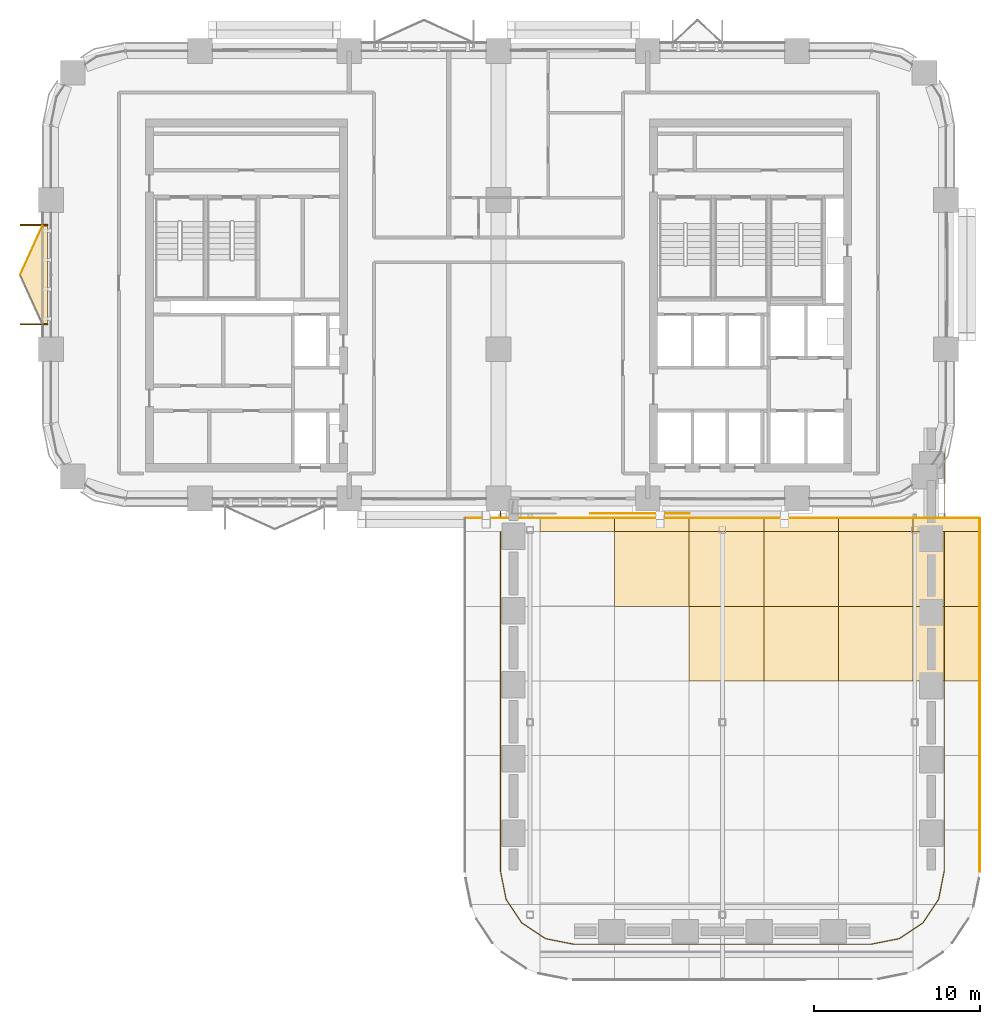
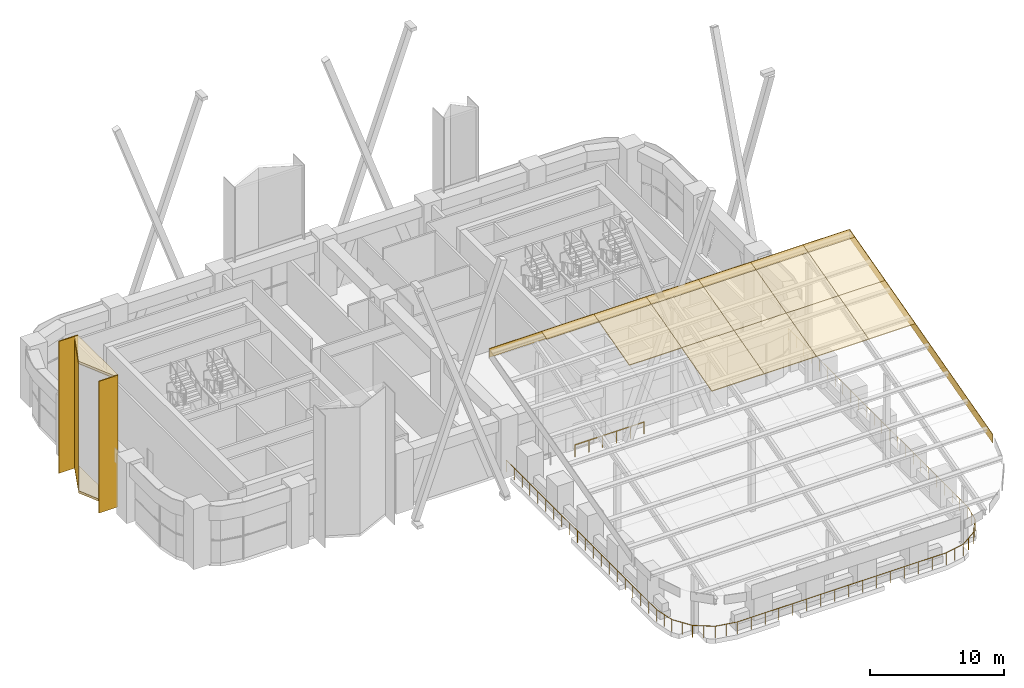
# One storey, part 19 of 22: 22 coverings, 2 railings.
"""IFC4 building model written with IfcOpenShell, lengths in metres."""

from ifc_helpers import new_model, si_unit, direction, frame, origin, origin_2d, place, context, subcontext, project, spatial, polyline, rectangle, circle, outline, extrude, material, layer, layer_set, type_object, element, save


model = new_model("IFC4")

# Units and contexts
model_context = context("Model", 3, precision=1e-05, world=origin(), true_north=direction((0.0, 1.0)))
body_context = subcontext(model_context, "Body", "Model", "MODEL_VIEW")
ifc_project = project(units=[si_unit("LENGTHUNIT", "METRE"), si_unit("AREAUNIT", "SQUARE_METRE"), si_unit("VOLUMEUNIT", "CUBIC_METRE"), si_unit("PLANEANGLEUNIT", "RADIAN"), si_unit("MASSUNIT", "GRAM", prefix="KILO")], contexts=[model_context])

# Site, building, storey
site_placement = place(None, origin())
site = spatial("IfcSite", under=ifc_project, at=site_placement, CompositionType="ELEMENT")
building_placement = place(site_placement, origin())
building = spatial("IfcBuilding", under=site, at=building_placement, Name="Tessera Arch", CompositionType="ELEMENT")
storey_placement = place(building_placement, frame((0.0, 0.0, 129.39990234375)))
storey = spatial("IfcBuildingStorey", under=building, at=storey_placement, Name="L30", CompositionType="ELEMENT", Elevation=129.39990234375)

# Coverings
ifc_material_1 = material(Name="Aluminium cladding pale metal anodised", Category="aluminium")
ifc_layer_1 = layer(ifc_material_1, 0.0400390625)
ifc_layer_set_1 = layer_set([ifc_layer_1], Name="Canopy fascia pale metal")
covering_type_1 = type_object("IfcCoveringType", Name="Canopy fascia pale metal", PredefinedType="CLADDING", material=ifc_layer_set_1)
covering_1_placement = place(storey_placement, frame((56.0, 4.5009765625, 6.94189453125), z_axis=(-1.0, 0.0, 0.0), x_axis=(0.0, 0.965923488686, 0.258827768997)))
element("IfcCovering", 1, at=covering_1_placement, inside=storey, type_object=covering_type_1, Name="CANOPY T3 fascia 1", PredefinedType="CLADDING", context=body_context, shape_type="SweptSolid", body=[
    extrude(outline(polyline([(0.0, 0.0), (22.05047554500242, 0.0), (21.843400691730558, 0.7727859551820426), (-0.20701166289857298, 0.7725501340178127), (0.0, 0.0)])), origin(), (0.0, 0.0, -1.0), 0.0400390625),
])
covering_2_placement = place(storey_placement, frame((56.0, 25.800048828125, 12.649169921875), z_axis=(0.0, -1.0, 0.0), x_axis=(-1.0, 0.0, 0.0)))
element("IfcCovering", 2, at=covering_2_placement, inside=storey, type_object=covering_type_1, Name="CANOPY T3 fascia 2", PredefinedType="CLADDING", context=body_context, shape_type="SweptSolid", body=[
    extrude(outline(polyline([(0.0, 0.0), (31.0, 0.0), (31.0, 0.800048828125), (0.0, 0.800048828125), (0.0, 0.0)])), origin(), (0.0, 0.0, -1.0), 0.0400390625),
])
ifc_material_2 = material(Name="Aluminium cladding pale metal anodised", Category="aluminium")
ifc_layer_2 = layer(ifc_material_2, 0.080078125)
ifc_layer_set_2 = layer_set([ifc_layer_2], Name="Canopy panel pale metal")
covering_type_2 = type_object("IfcCoveringType", Name="Canopy panel pale metal", PredefinedType="CLADDING", material=ifc_layer_set_2)
covering_3_placement = place(storey_placement, frame((29.5, 25.800048828125, 12.649169921875), z_axis=(0.0, -0.258799930484, 0.965930947833), x_axis=(0.0, -0.965930947833, -0.258799930484)))
element("IfcCovering", 3, at=covering_3_placement, inside=storey, type_object=covering_type_2, Name="CANOPY T3 panel 2-7", PredefinedType="CLADDING", context=body_context, shape_type="SweptSolid", body=[
    extrude(outline(polyline([(0.0, 0.0), (0.8282671032747939, 0.0), (0.8282671032747939, 4.5), (0.0, 4.5), (0.0, 0.0)])), origin(), (0.0, 0.0, -1.0), 0.080078125),
])
covering_4_placement = place(storey_placement, frame((38.5, 20.5, 11.22900390625), z_axis=(0.0, -0.258826891896, 0.965923723713), x_axis=(0.0, 0.965923723713, 0.258826891896)))
element("IfcCovering", 4, at=covering_4_placement, inside=storey, type_object=covering_type_2, Name="CANOPY T3 panel 3-6", PredefinedType="CLADDING", context=body_context, shape_type="SweptSolid", body=[
    extrude(outline(polyline([(0.0, 0.0), (4.658752952771266, 0.0), (4.658752952771266, 4.500000000000001), (0.0, 4.500000000000001), (0.0, 0.0)])), origin(), (0.0, 0.0, -1.0), 0.080078125),
])
covering_5_placement = place(storey_placement, frame((34.0, 25.800048828125, 12.649169921875), z_axis=(0.0, -0.258799930484, 0.965930947833), x_axis=(0.0, -0.965930947833, -0.258799930484)))
element("IfcCovering", 5, at=covering_5_placement, inside=storey, type_object=covering_type_2, Name="CANOPY T3 panel 3-7", PredefinedType="CLADDING", context=body_context, shape_type="SweptSolid", body=[
    extrude(outline(polyline([(0.0, 0.0), (0.8282671032747939, 0.0), (0.8282671032747939, 4.5), (0.0, 4.5), (0.0, 0.0)])), origin(), (0.0, 0.0, -1.0), 0.080078125),
])
for number, where, z_axis, x_axis, name in (
    (6, (43.0, 16.0, 10.023193359375), (0.0, -0.258826891896, 0.965923723713), (0.0, 0.965923723713, 0.258826891896), "CANOPY T3 panel 4-5"),
    (7, (43.0, 20.5, 11.22900390625), (0.0, -0.258826891896, 0.965923723713), (0.0, 0.965923723713, 0.258826891896), "CANOPY T3 panel 4-6"),
):
    element("IfcCovering", number, at=place(storey_placement, frame(where, z_axis=z_axis, x_axis=x_axis)), inside=storey, type_object=covering_type_2, Name=name, PredefinedType="CLADDING", context=body_context, shape_type="SweptSolid", body=[
        extrude(outline(polyline([(0.0, 0.0), (4.658752952771266, 0.0), (4.658752952771266, 4.500000000000001), (0.0, 4.500000000000001), (0.0, 0.0)])), origin(), (0.0, 0.0, -1.0), 0.080078125),
    ])
covering_6_placement = place(storey_placement, frame((38.5, 25.800048828125, 12.649169921875), z_axis=(0.0, -0.258799930484, 0.965930947833), x_axis=(0.0, -0.965930947833, -0.258799930484)))
element("IfcCovering", 8, at=covering_6_placement, inside=storey, type_object=covering_type_2, Name="CANOPY T3 panel 4-7", PredefinedType="CLADDING", context=body_context, shape_type="SweptSolid", body=[
    extrude(outline(polyline([(0.0, 0.0), (0.8282671032747939, 0.0), (0.8282671032747939, 4.5), (0.0, 4.5), (0.0, 0.0)])), origin(), (0.0, 0.0, -1.0), 0.080078125),
])
for number, where, z_axis, x_axis, name in (
    (9, (47.5, 16.0, 10.023193359375), (0.0, -0.258826891896, 0.965923723713), (0.0, 0.965923723713, 0.258826891896), "CANOPY T3 panel 5-5"),
    (10, (47.5, 20.5, 11.22900390625), (0.0, -0.258826891896, 0.965923723713), (0.0, 0.965923723713, 0.258826891896), "CANOPY T3 panel 5-6"),
):
    element("IfcCovering", number, at=place(storey_placement, frame(where, z_axis=z_axis, x_axis=x_axis)), inside=storey, type_object=covering_type_2, Name=name, PredefinedType="CLADDING", context=body_context, shape_type="SweptSolid", body=[
        extrude(outline(polyline([(0.0, 0.0), (4.658752952771266, 0.0), (4.658752952771266, 4.500000000000001), (0.0, 4.500000000000001), (0.0, 0.0)])), origin(), (0.0, 0.0, -1.0), 0.080078125),
    ])
covering_7_placement = place(storey_placement, frame((43.0, 25.800048828125, 12.649169921875), z_axis=(0.0, -0.258799930484, 0.965930947833), x_axis=(0.0, -0.965930947833, -0.258799930484)))
element("IfcCovering", 11, at=covering_7_placement, inside=storey, type_object=covering_type_2, Name="CANOPY T3 panel 5-7", PredefinedType="CLADDING", context=body_context, shape_type="SweptSolid", body=[
    extrude(outline(polyline([(0.0, 0.0), (0.8282671032747939, 0.0), (0.8282671032747939, 4.5), (0.0, 4.5), (0.0, 0.0)])), origin(), (0.0, 0.0, -1.0), 0.080078125),
])
for number, where, z_axis, x_axis, name in (
    (12, (52.0, 16.0, 10.023193359375), (0.0, -0.258826891896, 0.965923723713), (0.0, 0.965923723713, 0.258826891896), "CANOPY T3 panel 6-5"),
    (13, (52.0, 20.5, 11.22900390625), (0.0, -0.258826891896, 0.965923723713), (0.0, 0.965923723713, 0.258826891896), "CANOPY T3 panel 6-6"),
):
    element("IfcCovering", number, at=place(storey_placement, frame(where, z_axis=z_axis, x_axis=x_axis)), inside=storey, type_object=covering_type_2, Name=name, PredefinedType="CLADDING", context=body_context, shape_type="SweptSolid", body=[
        extrude(outline(polyline([(0.0, 0.0), (4.658752952771266, 0.0), (4.658752952771266, 4.500000000000001), (0.0, 4.500000000000001), (0.0, 0.0)])), origin(), (0.0, 0.0, -1.0), 0.080078125),
    ])
covering_8_placement = place(storey_placement, frame((47.5, 25.800048828125, 12.649169921875), z_axis=(0.0, -0.258799930484, 0.965930947833), x_axis=(0.0, -0.965930947833, -0.258799930484)))
element("IfcCovering", 14, at=covering_8_placement, inside=storey, type_object=covering_type_2, Name="CANOPY T3 panel 6-7", PredefinedType="CLADDING", context=body_context, shape_type="SweptSolid", body=[
    extrude(outline(polyline([(0.0, 0.0), (0.8282671032747939, 0.0), (0.8282671032747939, 4.5), (0.0, 4.5), (0.0, 0.0)])), origin(), (0.0, 0.0, -1.0), 0.080078125),
])
for number, where, z_axis, x_axis, name in (
    (15, (56.0, 20.5, 11.22900390625), (0.0, -0.258826891896, 0.965923723713), (-1.0, 0.0, 0.0), "CANOPY T3 panel 7-5"),
    (16, (56.0, 25.0, 12.434814453125), (0.0, -0.258826891896, 0.965923723713), (-1.0, 0.0, 0.0), "CANOPY T3 panel 7-6"),
):
    element("IfcCovering", number, at=place(storey_placement, frame(where, z_axis=z_axis, x_axis=x_axis)), inside=storey, type_object=covering_type_2, Name=name, PredefinedType="CLADDING", context=body_context, shape_type="SweptSolid", body=[
        extrude(outline(polyline([(0.0, 0.0), (4.0, 0.0), (4.0, 4.658752952771266), (0.0, 4.658752952771266), (0.0, 0.0)])), origin(), (0.0, 0.0, -1.0), 0.080078125),
    ])
covering_9_placement = place(storey_placement, frame((52.0, 25.800048828125, 12.649169921875), z_axis=(0.0, -0.258799930484, 0.965930947833), x_axis=(0.0, -0.965930947833, -0.258799930484)))
element("IfcCovering", 17, at=covering_9_placement, inside=storey, type_object=covering_type_2, Name="CANOPY T3 panel 7-7", PredefinedType="CLADDING", context=body_context, shape_type="SweptSolid", body=[
    extrude(outline(polyline([(0.0, 0.0), (0.8282671032747939, 0.0), (0.8282671032747939, 4.0), (0.0, 4.0), (0.0, 0.0)])), origin(), (0.0, 0.0, -1.0), 0.080078125),
])

# Railings
ifc_material_3 = material(Name="Stainless steel and clear glass", Category="steel")
railing_type = type_object("IfcRailingType", Name="Guard 1100", PredefinedType="GUARDRAIL", material=ifc_material_3)
railing_1_placement = place(storey_placement, frame((53.8798828125, 31.24365234375, 0.0)))
element("IfcRailing", 18, at=railing_1_placement, inside=storey, type_object=railing_type, Name="Guard tube roof terrace 1", PredefinedType="GUARDRAIL", context=body_context, shape_type="SweptSolid", body=[
    extrude(circle(Radius=0.02490234375, at=origin_2d()), frame((0.0, 0.00390625, 1.0751953125), z_axis=(0.0, -1.0, 0.0), x_axis=(1.0, 0.0, 0.0)), (0.0, 0.0, 1.0), 26.739013671875),
    extrude(circle(Radius=0.02490234375, at=origin_2d()), frame((0.000732421875, -26.72705078125, 1.0751953125), z_axis=(-0.194859590839, -0.980831147475, 0.0), x_axis=(0.980831147475, -0.194859590839, 0.0)), (0.0, 0.0, 1.0), 1.72705078125),
    extrude(circle(Radius=0.02490234375, at=origin_2d()), frame((-0.332763671875, -28.41357421875, 1.0751953125), z_axis=(-0.555326781293, -0.831632230003, 0.0), x_axis=(0.831632230003, -0.555326781293, 0.0)), (0.0, 0.0, 1.0), 1.716064453125),
    extrude(circle(Radius=0.02490234375, at=origin_2d()), frame((-1.280029296875, -29.835205078125, 1.0751953125), z_axis=(-0.831191516704, -0.555986207166, 0.0), x_axis=(0.555986207166, -0.831191516704, 0.0)), (0.0, 0.0, 1.0), 1.7158203125),
    extrude(circle(Radius=0.02490234375, at=origin_2d()), frame((-2.698974609375, -30.7861328125, 1.0751953125), z_axis=(-0.980684191298, -0.195597844923, 0.0), x_axis=(0.195597844923, -0.980684191298, 0.0)), (0.0, 0.0, 1.0), 1.729248046875),
    extrude(circle(Radius=0.02490234375, at=origin_2d()), frame((-4.386962890625, -31.12353515625, 1.0751953125), z_axis=(-1.0, 0.0, 0.0), x_axis=(0.0, -1.0, 0.0)), (0.0, 0.0, 1.0), 17.984375),
    extrude(circle(Radius=0.02490234375, at=origin_2d()), frame((-22.36328125, -31.124267578125, 1.0751953125), z_axis=(-0.980831147475, 0.194859590839, 0.0), x_axis=(-0.194859590839, -0.980831147475, 0.0)), (0.0, 0.0, 1.0), 1.72705078125),
    extrude(circle(Radius=0.02490234375, at=origin_2d()), frame((-24.0498046875, -30.790771484375, 1.0751953125), z_axis=(-0.831632230003, 0.555326781293, 0.0), x_axis=(-0.555326781293, -0.831632230003, 0.0)), (0.0, 0.0, 1.0), 1.716064453125),
    extrude(circle(Radius=0.02490234375, at=origin_2d()), frame((-25.471435546875, -29.843505859375, 1.0751953125), z_axis=(-0.555986207166, 0.831191516704, 0.0), x_axis=(-0.831191516704, -0.555986207166, 0.0)), (0.0, 0.0, 1.0), 1.7158203125),
    extrude(circle(Radius=0.02490234375, at=origin_2d()), frame((-26.42236328125, -28.424560546875, 1.0751953125), z_axis=(-0.195597844923, 0.980684191298, 0.0), x_axis=(-0.980684191298, -0.195597844923, 0.0)), (0.0, 0.0, 1.0), 1.729248046875),
    extrude(circle(Radius=0.02490234375, at=origin_2d()), frame((-26.759765625, -26.736572265625, 1.0751953125), z_axis=(0.0, 1.0, 0.0), x_axis=(-1.0, 0.0, 0.0)), (0.0, 0.0, 1.0), 22.447021484375),
    extrude(circle(Radius=0.02001953125, at=origin_2d()), origin(), (0.0, 0.0, 1.0), 1.06201171875),
    extrude(circle(Radius=0.02001953125, at=origin_2d()), frame((0.0, -1.162109375, 0.0)), (0.0, 0.0, 1.0), 1.06201171875),
    extrude(circle(Radius=0.02001953125, at=origin_2d()), frame((0.0, -2.324462890625, 0.0)), (0.0, 0.0, 1.0), 1.06201171875),
    extrude(circle(Radius=0.02001953125, at=origin_2d()), frame((0.0, -3.486572265625, 0.0)), (0.0, 0.0, 1.0), 1.06201171875),
    extrude(circle(Radius=0.02001953125, at=origin_2d()), frame((0.0, -4.64892578125, 0.0)), (0.0, 0.0, 1.0), 1.06201171875),
    extrude(circle(Radius=0.02001953125, at=origin_2d()), frame((0.0, -5.81103515625, 0.0)), (0.0, 0.0, 1.0), 1.06201171875),
    extrude(circle(Radius=0.02001953125, at=origin_2d()), frame((0.0, -6.973388671875, 0.0)), (0.0, 0.0, 1.0), 1.06201171875),
    extrude(circle(Radius=0.02001953125, at=origin_2d()), frame((0.0, -8.135498046875, 0.0)), (0.0, 0.0, 1.0), 1.06201171875),
    extrude(circle(Radius=0.02001953125, at=origin_2d()), frame((0.0, -9.297607421875, 0.0)), (0.0, 0.0, 1.0), 1.06201171875),
    extrude(circle(Radius=0.02001953125, at=origin_2d()), frame((0.0, -10.4599609375, 0.0)), (0.0, 0.0, 1.0), 1.06201171875),
    extrude(circle(Radius=0.02001953125, at=origin_2d()), frame((0.0, -11.6220703125, 0.0)), (0.0, 0.0, 1.0), 1.06201171875),
    extrude(circle(Radius=0.02001953125, at=origin_2d()), frame((0.0, -12.784423828125, 0.0)), (0.0, 0.0, 1.0), 1.06201171875),
    extrude(circle(Radius=0.02001953125, at=origin_2d()), frame((0.0, -13.946533203125, 0.0)), (0.0, 0.0, 1.0), 1.06201171875),
    extrude(circle(Radius=0.02001953125, at=origin_2d()), frame((0.0, -15.10888671875, 0.0)), (0.0, 0.0, 1.0), 1.06201171875),
    extrude(circle(Radius=0.02001953125, at=origin_2d()), frame((0.0, -16.27099609375, 0.0)), (0.0, 0.0, 1.0), 1.06201171875),
    extrude(circle(Radius=0.02001953125, at=origin_2d()), frame((0.0, -17.433349609375, 0.0)), (0.0, 0.0, 1.0), 1.06201171875),
    extrude(circle(Radius=0.02001953125, at=origin_2d()), frame((0.0, -18.595458984375, 0.0)), (0.0, 0.0, 1.0), 1.06201171875),
    extrude(circle(Radius=0.02001953125, at=origin_2d()), frame((0.0, -19.757568359375, 0.0)), (0.0, 0.0, 1.0), 1.06201171875),
    extrude(circle(Radius=0.02001953125, at=origin_2d()), frame((0.0, -20.919921875, 0.0)), (0.0, 0.0, 1.0), 1.06201171875),
    extrude(circle(Radius=0.02001953125, at=origin_2d()), frame((0.0, -22.08203125, 0.0)), (0.0, 0.0, 1.0), 1.06201171875),
    extrude(circle(Radius=0.02001953125, at=origin_2d()), frame((0.0, -23.244384765625, 0.0)), (0.0, 0.0, 1.0), 1.06201171875),
    extrude(circle(Radius=0.02001953125, at=origin_2d()), frame((0.0, -24.406494140625, 0.0)), (0.0, 0.0, 1.0), 1.06201171875),
    extrude(circle(Radius=0.02001953125, at=origin_2d()), frame((0.0, -25.56884765625, 0.0)), (0.0, 0.0, 1.0), 1.06201171875),
    extrude(circle(Radius=0.02001953125, at=origin_2d()), frame((0.0, -26.73095703125, 0.0)), (0.0, 0.0, 1.0), 1.06201171875),
    extrude(circle(Radius=0.02001953125, at=origin_2d()), frame((-0.16748046875, -27.573974609375, 0.0)), (0.0, 0.0, 1.0), 1.06201171875),
    extrude(circle(Radius=0.02001953125, at=origin_2d()), frame((-0.3349609375, -28.4169921875, 0.0)), (0.0, 0.0, 1.0), 1.06201171875),
    extrude(circle(Radius=0.02001953125, at=origin_2d()), frame((-0.80908203125, -29.127197265625, 0.0)), (0.0, 0.0, 1.0), 1.06201171875),
    extrude(circle(Radius=0.02001953125, at=origin_2d()), frame((-1.283447265625, -29.83740234375, 0.0)), (0.0, 0.0, 1.0), 1.06201171875),
    extrude(circle(Radius=0.02001953125, at=origin_2d()), frame((-1.9931640625, -30.31201171875, 0.0)), (0.0, 0.0, 1.0), 1.06201171875),
    extrude(circle(Radius=0.02001953125, at=origin_2d()), frame((-2.702880859375, -30.786865234375, 0.0)), (0.0, 0.0, 1.0), 1.06201171875),
    extrude(circle(Radius=0.02001953125, at=origin_2d()), frame((-3.546875, -30.955078125, 0.0)), (0.0, 0.0, 1.0), 1.06201171875),
    extrude(circle(Radius=0.02001953125, at=origin_2d()), frame((-4.390869140625, -31.12353515625, 0.0)), (0.0, 0.0, 1.0), 1.06201171875),
    extrude(circle(Radius=0.02001953125, at=origin_2d()), frame((-5.58935546875, -31.12353515625, 0.0)), (0.0, 0.0, 1.0), 1.06201171875),
    extrude(circle(Radius=0.02001953125, at=origin_2d()), frame((-6.78759765625, -31.12353515625, 0.0)), (0.0, 0.0, 1.0), 1.06201171875),
    extrude(circle(Radius=0.02001953125, at=origin_2d()), frame((-7.986083984375, -31.12353515625, 0.0)), (0.0, 0.0, 1.0), 1.06201171875),
    extrude(circle(Radius=0.02001953125, at=origin_2d()), frame((-9.1845703125, -31.12353515625, 0.0)), (0.0, 0.0, 1.0), 1.06201171875),
    extrude(circle(Radius=0.02001953125, at=origin_2d()), frame((-10.383056640625, -31.12353515625, 0.0)), (0.0, 0.0, 1.0), 1.06201171875),
    extrude(circle(Radius=0.02001953125, at=origin_2d()), frame((-11.581298828125, -31.12353515625, 0.0)), (0.0, 0.0, 1.0), 1.06201171875),
    extrude(circle(Radius=0.02001953125, at=origin_2d()), frame((-12.77978515625, -31.12353515625, 0.0)), (0.0, 0.0, 1.0), 1.06201171875),
    extrude(circle(Radius=0.02001953125, at=origin_2d()), frame((-13.978271484375, -31.12353515625, 0.0)), (0.0, 0.0, 1.0), 1.06201171875),
    extrude(circle(Radius=0.02001953125, at=origin_2d()), frame((-15.1767578125, -31.12353515625, 0.0)), (0.0, 0.0, 1.0), 1.06201171875),
    extrude(circle(Radius=0.02001953125, at=origin_2d()), frame((-16.375, -31.12353515625, 0.0)), (0.0, 0.0, 1.0), 1.06201171875),
    extrude(circle(Radius=0.02001953125, at=origin_2d()), frame((-17.573486328125, -31.12353515625, 0.0)), (0.0, 0.0, 1.0), 1.06201171875),
    extrude(circle(Radius=0.02001953125, at=origin_2d()), frame((-18.77197265625, -31.12353515625, 0.0)), (0.0, 0.0, 1.0), 1.06201171875),
    extrude(circle(Radius=0.02001953125, at=origin_2d()), frame((-19.970458984375, -31.12353515625, 0.0)), (0.0, 0.0, 1.0), 1.06201171875),
    extrude(circle(Radius=0.02001953125, at=origin_2d()), frame((-21.168701171875, -31.12353515625, 0.0)), (0.0, 0.0, 1.0), 1.06201171875),
    extrude(circle(Radius=0.02001953125, at=origin_2d()), frame((-22.3671875, -31.12353515625, 0.0)), (0.0, 0.0, 1.0), 1.06201171875),
    extrude(circle(Radius=0.02001953125, at=origin_2d()), frame((-23.210205078125, -30.9560546875, 0.0)), (0.0, 0.0, 1.0), 1.06201171875),
    extrude(circle(Radius=0.02001953125, at=origin_2d()), frame((-24.05322265625, -30.78857421875, 0.0)), (0.0, 0.0, 1.0), 1.06201171875),
    extrude(circle(Radius=0.02001953125, at=origin_2d()), frame((-24.763427734375, -30.314453125, 0.0)), (0.0, 0.0, 1.0), 1.06201171875),
    extrude(circle(Radius=0.02001953125, at=origin_2d()), frame((-25.4736328125, -29.840087890625, 0.0)), (0.0, 0.0, 1.0), 1.06201171875),
    extrude(circle(Radius=0.02001953125, at=origin_2d()), frame((-25.9482421875, -29.13037109375, 0.0)), (0.0, 0.0, 1.0), 1.06201171875),
    extrude(circle(Radius=0.02001953125, at=origin_2d()), frame((-26.423095703125, -28.420654296875, 0.0)), (0.0, 0.0, 1.0), 1.06201171875),
    extrude(circle(Radius=0.02001953125, at=origin_2d()), frame((-26.59130859375, -27.57666015625, 0.0)), (0.0, 0.0, 1.0), 1.06201171875),
    extrude(circle(Radius=0.02001953125, at=origin_2d()), frame((-26.759765625, -26.732666015625, 0.0)), (0.0, 0.0, 1.0), 1.06201171875),
    extrude(circle(Radius=0.02001953125, at=origin_2d()), frame((-26.759765625, -25.5517578125, 0.0)), (0.0, 0.0, 1.0), 1.06201171875),
    extrude(circle(Radius=0.02001953125, at=origin_2d()), frame((-26.759765625, -24.37060546875, 0.0)), (0.0, 0.0, 1.0), 1.06201171875),
    extrude(circle(Radius=0.02001953125, at=origin_2d()), frame((-26.759765625, -23.189697265625, 0.0)), (0.0, 0.0, 1.0), 1.06201171875),
    extrude(circle(Radius=0.02001953125, at=origin_2d()), frame((-26.759765625, -22.0087890625, 0.0)), (0.0, 0.0, 1.0), 1.06201171875),
    extrude(circle(Radius=0.02001953125, at=origin_2d()), frame((-26.759765625, -20.82763671875, 0.0)), (0.0, 0.0, 1.0), 1.06201171875),
    extrude(circle(Radius=0.02001953125, at=origin_2d()), frame((-26.759765625, -19.646728515625, 0.0)), (0.0, 0.0, 1.0), 1.06201171875),
    extrude(circle(Radius=0.02001953125, at=origin_2d()), frame((-26.759765625, -18.465576171875, 0.0)), (0.0, 0.0, 1.0), 1.06201171875),
    extrude(circle(Radius=0.02001953125, at=origin_2d()), frame((-26.759765625, -17.28466796875, 0.0)), (0.0, 0.0, 1.0), 1.06201171875),
    extrude(circle(Radius=0.02001953125, at=origin_2d()), frame((-26.759765625, -16.103759765625, 0.0)), (0.0, 0.0, 1.0), 1.06201171875),
    extrude(circle(Radius=0.02001953125, at=origin_2d()), frame((-26.759765625, -14.922607421875, 0.0)), (0.0, 0.0, 1.0), 1.06201171875),
    extrude(circle(Radius=0.02001953125, at=origin_2d()), frame((-26.759765625, -13.74169921875, 0.0)), (0.0, 0.0, 1.0), 1.06201171875),
    extrude(circle(Radius=0.02001953125, at=origin_2d()), frame((-26.759765625, -12.560791015625, 0.0)), (0.0, 0.0, 1.0), 1.06201171875),
    extrude(circle(Radius=0.02001953125, at=origin_2d()), frame((-26.759765625, -11.379638671875, 0.0)), (0.0, 0.0, 1.0), 1.06201171875),
    extrude(circle(Radius=0.02001953125, at=origin_2d()), frame((-26.759765625, -10.19873046875, 0.0)), (0.0, 0.0, 1.0), 1.06201171875),
    extrude(circle(Radius=0.02001953125, at=origin_2d()), frame((-26.759765625, -9.017578125, 0.0)), (0.0, 0.0, 1.0), 1.06201171875),
    extrude(circle(Radius=0.02001953125, at=origin_2d()), frame((-26.759765625, -7.836669921875, 0.0)), (0.0, 0.0, 1.0), 1.06201171875),
    extrude(circle(Radius=0.02001953125, at=origin_2d()), frame((-26.759765625, -6.65576171875, 0.0)), (0.0, 0.0, 1.0), 1.06201171875),
    extrude(circle(Radius=0.02001953125, at=origin_2d()), frame((-26.759765625, -5.474609375, 0.0)), (0.0, 0.0, 1.0), 1.06201171875),
    extrude(circle(Radius=0.02001953125, at=origin_2d()), frame((-26.759765625, -4.293701171875, 0.0)), (0.0, 0.0, 1.0), 1.06201171875),
])
railing_2_placement = place(storey_placement, frame((32.550048828125, 26.10009765625, 0.0)))
element("IfcRailing", 19, at=railing_2_placement, inside=storey, type_object=railing_type, Name="Guard terrace wall side 2.2", PredefinedType="GUARDRAIL", context=body_context, shape_type="SweptSolid", body=[
    extrude(circle(Radius=0.02490234375, at=origin_2d()), frame((-0.00390625, 0.0, 1.0751953125), z_axis=(1.0, 0.0, 0.0), x_axis=(0.0, 1.0, 0.0)), (0.0, 0.0, 1.0), 5.9580078125),
    extrude(circle(Radius=0.02001953125, at=origin_2d()), origin(), (0.0, 0.0, 1.0), 1.06201171875),
    extrude(circle(Radius=0.02001953125, at=origin_2d()), frame((1.18994140625, 0.0, 0.0)), (0.0, 0.0, 1.0), 1.06201171875),
    extrude(circle(Radius=0.02001953125, at=origin_2d()), frame((2.3798828125, 0.0, 0.0)), (0.0, 0.0, 1.0), 1.06201171875),
    extrude(circle(Radius=0.02001953125, at=origin_2d()), frame((3.570068359375, 0.0, 0.0)), (0.0, 0.0, 1.0), 1.06201171875),
    extrude(circle(Radius=0.02001953125, at=origin_2d()), frame((4.760009765625, 0.0, 0.0)), (0.0, 0.0, 1.0), 1.06201171875),
    extrude(circle(Radius=0.02001953125, at=origin_2d()), frame((5.949951171875, 0.0, 0.0)), (0.0, 0.0, 1.0), 1.06201171875),
])

# Coverings
ifc_material_4 = material(Name="Anodised aluminium pale metal", Category="aluminium")
ifc_layer_3 = layer(ifc_material_4, 0.080078125)
ifc_layer_set_3 = layer_set([ifc_layer_3], Name="Window box cheek")
covering_type_3 = type_object("IfcCoveringType", Name="Window box cheek", PredefinedType="CLADDING", material=ifc_layer_set_3)
covering_10_placement = place(storey_placement, origin())
element("IfcCovering", 20, at=covering_10_placement, inside=storey, type_object=covering_type_3, Name="Window box W0.27/1.0 2x3 cheek", PredefinedType="CLADDING", context=body_context, shape_type="SweptSolid", body=[
    extrude(outline(polyline([(-1.85009765625, 43.530029296875), (-1.85009765625, 43.449951171875), (-0.199951171875, 43.449951171875), (-0.199951171875, 43.530029296875), (-1.85009765625, 43.530029296875)])), origin(), (0.0, 0.0, 1.0), 12.0),
])
covering_11_placement = place(storey_placement, origin())
element("IfcCovering", 21, at=covering_11_placement, inside=storey, type_object=covering_type_3, Name="Window box W0.27/1.0 2x3 cheek", PredefinedType="CLADDING", context=body_context, shape_type="SweptSolid", body=[
    extrude(outline(polyline([(-1.85009765625, 37.550048828125), (-1.85009765625, 37.469970703125), (-0.199951171875, 37.469970703125), (-0.199951171875, 37.550048828125), (-1.85009765625, 37.550048828125)])), origin(), (0.0, 0.0, 1.0), 12.0),
])
ifc_material_5 = material(Name="Anodised aluminium pale metal", Category="aluminium")
ifc_layer_4 = layer(ifc_material_5, 0.219970703125)
ifc_layer_set_4 = layer_set([ifc_layer_4], Name="Window box frame plate pale metal")
covering_type_4 = type_object("IfcCoveringType", Name="Window box frame plate pale metal", PredefinedType="CLADDING", material=ifc_layer_set_4)
covering_12_placement = place(storey_placement, origin())
element("IfcCovering", 22, at=covering_12_placement, inside=storey, type_object=covering_type_4, Name="Window box W0.27/1.0 2x3 floor", PredefinedType="CLADDING", context=body_context, shape_type="SweptSolid", body=[
    extrude(outline(polyline([(-0.510009765625, 43.449951171875), (-1.85009765625, 40.5), (-0.510009765625, 37.550048828125), (-0.199951171875, 37.550048828125), (-0.199951171875, 43.449951171875), (-0.510009765625, 43.449951171875)])), origin(), (0.0, 0.0, 1.0), 0.22021484375),
])
covering_13_placement = place(storey_placement, frame((0.0, 0.0, 11.780029296875)))
element("IfcCovering", 23, at=covering_13_placement, inside=storey, type_object=covering_type_4, Name="Window box W0.27/1.0 2x3 roof", PredefinedType="CLADDING", context=body_context, shape_type="SweptSolid", body=[
    extrude(outline(polyline([(-0.510009765625, 43.449951171875), (-1.85009765625, 40.5), (-0.510009765625, 37.550048828125), (-0.199951171875, 37.550048828125), (-0.199951171875, 43.449951171875), (-0.510009765625, 43.449951171875)])), origin(), (0.0, 0.0, 1.0), 0.219970703125),
])
ifc_material_6 = material(Name="Anodised aluminium pale metal", Category="aluminium")
ifc_layer_5 = layer(ifc_material_6, 0.028076171875)
ifc_layer_set_5 = layer_set([ifc_layer_5], Name="Window box side panel")
covering_type_5 = type_object("IfcCoveringType", Name="Window box side panel", PredefinedType="CLADDING", material=ifc_layer_set_5)
covering_14_placement = place(storey_placement, frame((-1.179931640625, 41.97509765625, 0.219970703125), z_axis=(0.0, 0.0, 1.0), x_axis=(-0.413570397858, -0.910472144558, 0.0)))
element("IfcCovering", 24, at=covering_14_placement, inside=storey, type_object=covering_type_5, Name="Window box W0.27/1.0 2x3 side panel", PredefinedType="CLADDING", context=body_context, shape_type="SweptSolid", body=[
    extrude(rectangle(XDim=3.239990234375, YDim=0.028076171875, at=origin_2d()), origin(), (0.0, 0.0, 1.0), 11.56005859375),
])

save(model, "model.ifc")
